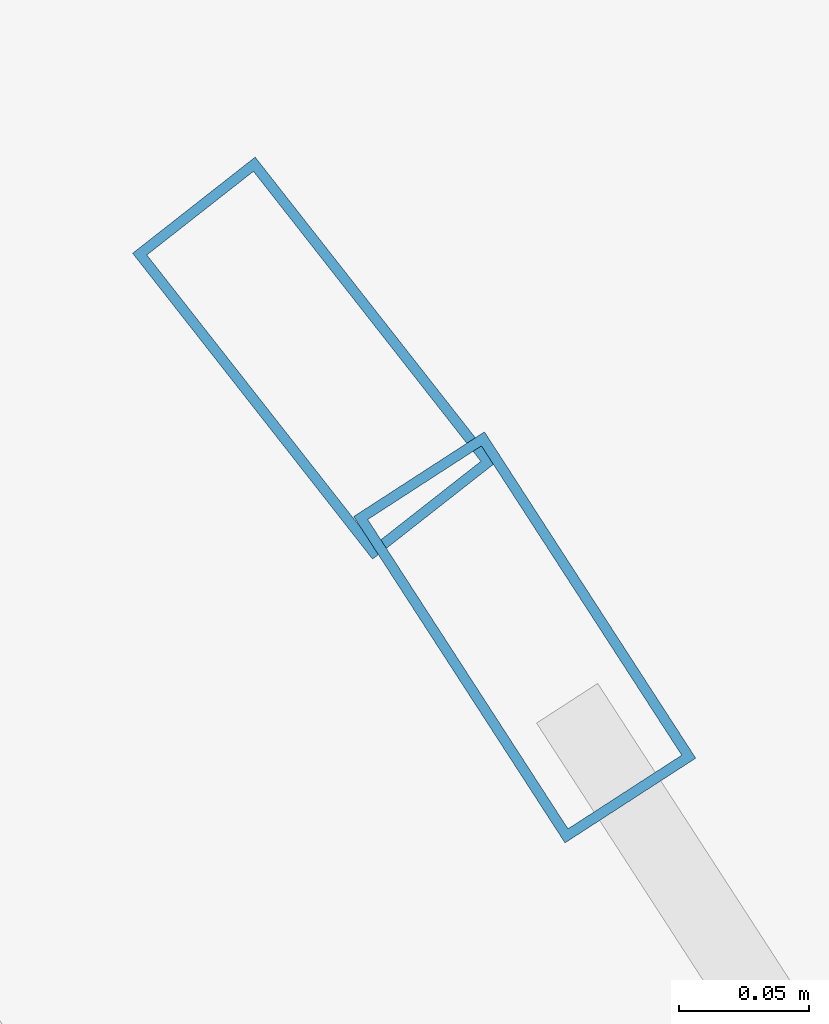
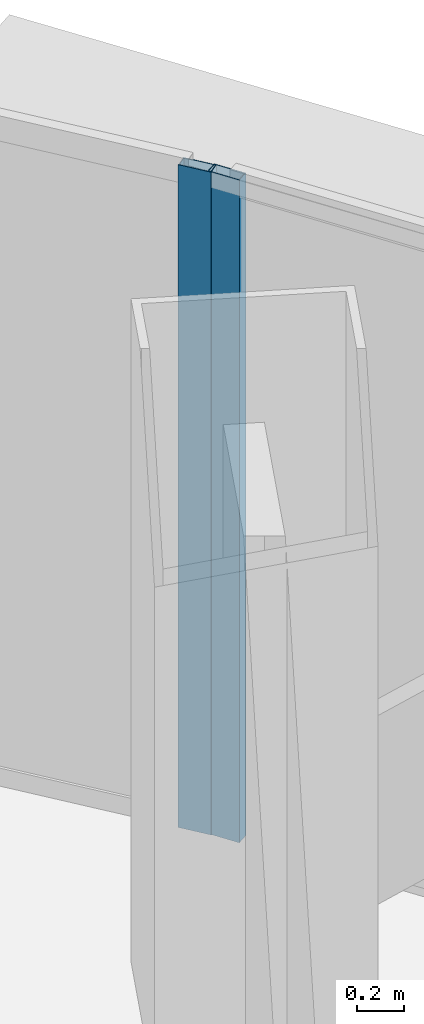
# One storey, part 22 of 40: 2 members, 2 elements without a shape of their own.
"""IFC4 building model written with IfcOpenShell, lengths in metres."""

from ifc_helpers import new_model, si_unit, direction, frame, origin, origin_2d, place, context, subcontext, project, spatial, hollow_rectangle, extrude, source, transform, mapped, material, layer, layer_set, material_profile, profile_set, type_object, element, aggregate, save


model = new_model("IFC4")

# Units and contexts
model_context = context("Model", 3, precision=1e-05, world=origin(), true_north=direction((0.0, 1.0)))
body_context = subcontext(model_context, "Body", "Model", "MODEL_VIEW")
ifc_project = project(units=[si_unit("LENGTHUNIT", "METRE"), si_unit("AREAUNIT", "SQUARE_METRE"), si_unit("VOLUMEUNIT", "CUBIC_METRE"), si_unit("PLANEANGLEUNIT", "RADIAN"), si_unit("MASSUNIT", "GRAM", prefix="KILO"), si_unit("THERMODYNAMICTEMPERATUREUNIT", "KELVIN"), si_unit("POWERUNIT", "WATT")], contexts=[model_context])

# Site, building, storey
site_placement = place(None, origin())
site = spatial("IfcSite", under=ifc_project, at=site_placement, CompositionType="ELEMENT")
building_placement = place(site_placement, origin())
building = spatial("IfcBuilding", under=site, at=building_placement, Name="Yunzhuo Pagoda Commons", CompositionType="ELEMENT")
storey_placement = place(building_placement, frame((0.0, 0.0, 159.27001953125)))
storey = spatial("IfcBuildingStorey", under=building, at=storey_placement, Name="L40", CompositionType="ELEMENT", Elevation=159.27001953125)

# Curtain wall, member
ifc_material = material(Name="Anodized aluminium 6063-T6", Category="aluminium")
ifc_layer = layer(ifc_material, 0.14990234375)
ifc_layer_set = layer_set([ifc_layer], Name="Anodized aluminium 6063-T6")
curtain_wall_type = type_object("IfcCurtainWallType", Name="CW-MID Mid-Zone Ribbon Curtain Wall", PredefinedType="NOTDEFINED", material=ifc_layer_set)
curtain_wall_1_placement = place(storey_placement, origin())
curtain_wall_1 = element("IfcCurtainWall", 1, at=curtain_wall_1_placement, inside=storey, type_object=curtain_wall_type, Name="L40 curtain wall CW-L40-F2B4", PredefinedType="NOTDEFINED")
ifc_material_profile = material_profile(ifc_material, hollow_rectangle(XDim=0.06005859375, YDim=0.14990234375, WallThickness=0.00390625, at=origin_2d()), Name="Anodized aluminium 6063-T6")
ifc_profile_set = profile_set([ifc_material_profile], Name="Anodized aluminium 6063-T6")
member_type = type_object("IfcMemberType", Name="CW-MID-M Mullion RHS 150x60x4", PredefinedType="MULLION", material=ifc_profile_set)
shared_shape = source(origin(), body_context, "Body", "SweptSolid", [
    extrude(hollow_rectangle(XDim=0.06005859375, YDim=0.14990234375, WallThickness=0.00390625, at=origin_2d()), origin(), (0.0, 0.0, 1.0), 3.419677734375),
])
member_1_placement = place(storey_placement, frame((63.9833984375, 69.53759765625, 0.000244140625), z_axis=(0.0, 0.0, 1.0), x_axis=(-0.839392571637, -0.543525630197, 0.0)))
member_1 = element("IfcMember", 2, at=member_1_placement, type_object=member_type, Name="CW mullion 2", PredefinedType="MULLION", context=body_context, shape_type="MappedRepresentation", body=[
    mapped(shared_shape, transform((0.0, 0.0, 0.0), scale=1.0)),
])
aggregate(curtain_wall_1, [member_1])

curtain_wall_2_placement = place(storey_placement, origin())
curtain_wall_2 = element("IfcCurtainWall", 3, at=curtain_wall_2_placement, inside=storey, type_object=curtain_wall_type, Name="L40 curtain wall CW-L40-F2B5", PredefinedType="NOTDEFINED")
member_2_placement = place(storey_placement, frame((63.902099609375, 69.645263671875, 0.000244140625), z_axis=(0.0, 0.0, 1.0), x_axis=(-0.786759259697, -0.61725996734, 0.0)))
member_2 = element("IfcMember", 4, at=member_2_placement, type_object=member_type, Name="CW mullion 1", PredefinedType="MULLION", context=body_context, shape_type="MappedRepresentation", body=[
    mapped(shared_shape, transform((0.0, 0.0, 0.0), scale=1.0)),
])
aggregate(curtain_wall_2, [member_2])

save(model, "model.ifc")
